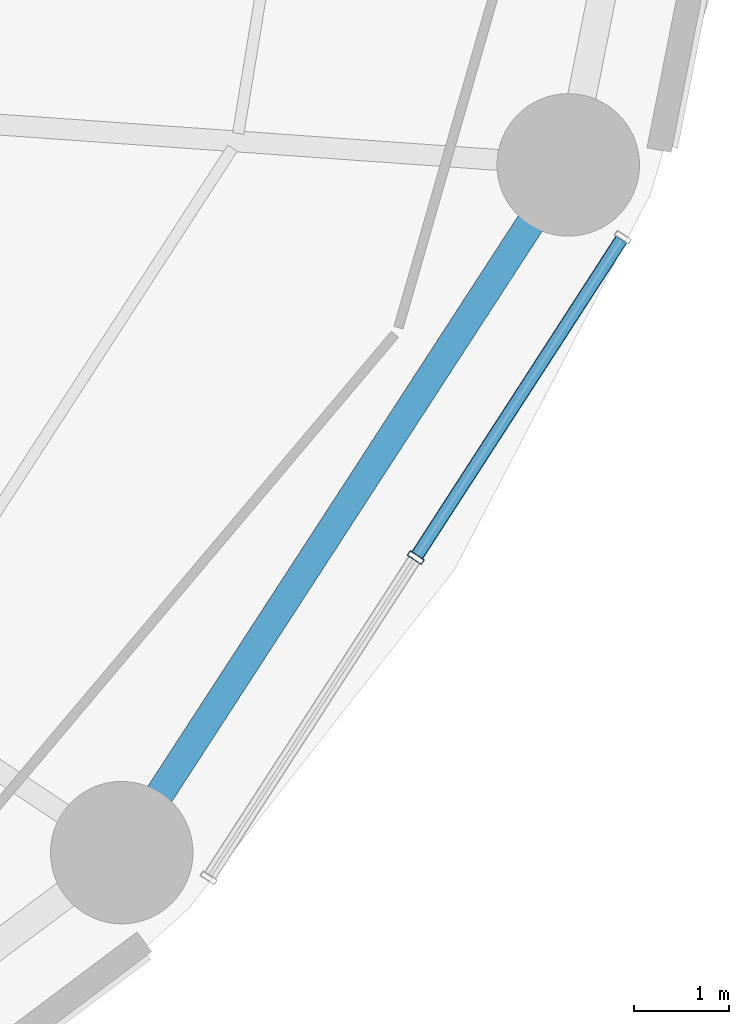
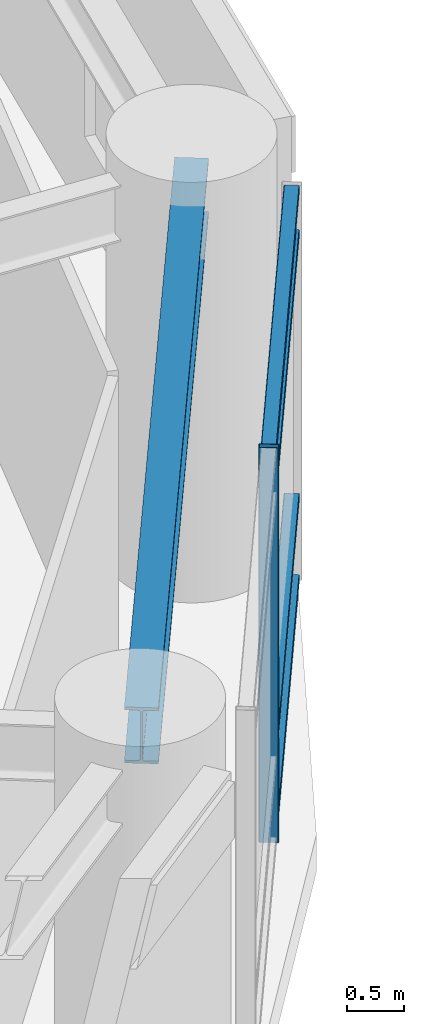
# One storey, part 21 of 46: 5 members, 1 beam, 1 element without a shape of its own.
"""IFC4 building model written with IfcOpenShell, lengths in metres."""

from ifc_helpers import new_model, si_unit, direction, frame, origin, origin_2d, place, context, subcontext, project, spatial, hollow_rectangle, i_section, extrude, material, layer, layer_set, material_profile, profile_set, type_object, element, aggregate, save


model = new_model("IFC4")

# Units and contexts
model_context = context("Model", 3, precision=1e-05, world=origin(), true_north=direction((0.0, 1.0)))
body_context = subcontext(model_context, "Body", "Model", "MODEL_VIEW")
ifc_project = project(units=[si_unit("LENGTHUNIT", "METRE"), si_unit("AREAUNIT", "SQUARE_METRE"), si_unit("VOLUMEUNIT", "CUBIC_METRE"), si_unit("PLANEANGLEUNIT", "RADIAN"), si_unit("MASSUNIT", "GRAM", prefix="KILO")], contexts=[model_context])

# Site, building, storey
site_placement = place(None, origin())
site = spatial("IfcSite", under=ifc_project, at=site_placement, CompositionType="ELEMENT")
building_placement = place(site_placement, origin())
building = spatial("IfcBuilding", under=site, at=building_placement, Name="Kelanora Arch Commons", CompositionType="ELEMENT")
storey_placement = place(building_placement, frame((0.0, 0.0, 18.0)))
storey = spatial("IfcBuildingStorey", under=building, at=storey_placement, Name="L04", CompositionType="ELEMENT", Elevation=18.0)

# Beam
ifc_material_1 = material(Name="Steel S355", Category="steel")
ifc_material_profile_1 = material_profile(ifc_material_1, i_section(OverallWidth=0.300048828125, OverallDepth=0.60009765625, WebThickness=0.015380859375, FlangeThickness=0.030029296875, FilletRadius=0.027099609375, at=origin_2d()), Name="HEB600")
ifc_profile_set_1 = profile_set([ifc_material_profile_1], Name="Steel S355")
beam_type = type_object("IfcBeamType", Name="BM-SPN-Z1", PredefinedType="SPANDREL", material=ifc_profile_set_1)
beam_placement = place(storey_placement, frame((94.8642578125, 42.706298828125, 3.93994140625), z_axis=(0.544583445345, 0.83870666568, 0.0), x_axis=(-0.83870666568, 0.544583445345, 0.0)))
element("IfcBeam", 1, at=beam_placement, inside=storey, type_object=beam_type, Name="Perimeter Spandrel Beam BS-32 L04", PredefinedType="SPANDREL", context=body_context, shape_type="SweptSolid", body=[
    extrude(i_section(OverallWidth=0.300048828125, OverallDepth=0.60009765625, WebThickness=0.015380859375, FlangeThickness=0.030029296875, FilletRadius=0.027099609375, at=origin_2d()), origin(), (0.0, 0.0, 1.0), 8.415283203125),
])

# Curtain wall, members
ifc_material_2 = material(Name="Terracotta ceramic-fritted low-E glass and aluminium", Category="masonry")
ifc_layer = layer(ifc_material_2, 0.2099609375)
ifc_layer_set = layer_set([ifc_layer], Name="Terracotta ceramic-fritted low-E glass and aluminium")
curtain_wall_type = type_object("IfcCurtainWallType", Name="CW-SYS-04", PredefinedType="NOTDEFINED", material=ifc_layer_set)
curtain_wall_placement = place(storey_placement, origin())
curtain_wall = element("IfcCurtainWall", 2, at=curtain_wall_placement, inside=storey, type_object=curtain_wall_type, Name="Unitised Curtain Wall L04-B16", PredefinedType="NOTDEFINED")
ifc_material_3 = material(Name="Powder-coated aluminium terracotta", Category="masonry")
ifc_material_profile_2 = material_profile(ifc_material_3, hollow_rectangle(XDim=0.179931640625, YDim=0.06005859375, WallThickness=0.0048828125, InnerFilletRadius=0.0048828125, OuterFilletRadius=0.010009765625, at=origin_2d()), Name="CWM180x60")
ifc_profile_set_2 = profile_set([ifc_material_profile_2], Name="Powder-coated aluminium terracotta")
member_type_1 = type_object("IfcMemberType", Name="CWM-HVY", PredefinedType="MULLION", material=ifc_profile_set_2)
member_1_placement = place(storey_placement, frame((97.841064453125, 45.629150390625, 0.0), z_axis=(0.0, 0.0, 1.0), x_axis=(-0.839728582399, 0.54300636083, 0.0)))
member_1 = element("IfcMember", 3, at=member_1_placement, type_object=member_type_1, Name="CW-04 mullion 2", PredefinedType="MULLION", context=body_context, shape_type="SweptSolid", body=[
    extrude(hollow_rectangle(XDim=0.179931640625, YDim=0.06005859375, WallThickness=0.0048828125, InnerFilletRadius=0.0048828125, OuterFilletRadius=0.010009765625, at=origin_2d()), origin(), (0.0, 0.0, 1.0), 4.22509765625),
])
ifc_material_profile_3 = material_profile(ifc_material_3, hollow_rectangle(XDim=0.139892578125, YDim=0.06005859375, WallThickness=0.0048828125, InnerFilletRadius=0.0048828125, OuterFilletRadius=0.010009765625, at=origin_2d()), Name="CWT140x60")
ifc_profile_set_3 = profile_set([ifc_material_profile_3], Name="Powder-coated aluminium terracotta")
member_type_2 = type_object("IfcMemberType", Name="CWT-HVY", PredefinedType="USERDEFINED", material=ifc_profile_set_3)
member_2_placement = place(storey_placement, frame((97.857177734375, 45.654296875, 0.030029296875), z_axis=(0.54299796475, 0.839734011623, 0.0), x_axis=(-0.839734011623, 0.54299796475, 0.0)))
member_2 = element("IfcMember", 4, at=member_2_placement, type_object=member_type_2, Name="CW-04 transom 2.1", ObjectType="TRANSOM", PredefinedType="USERDEFINED", context=body_context, shape_type="SweptSolid", body=[
    extrude(hollow_rectangle(XDim=0.139892578125, YDim=0.06005859375, WallThickness=0.0048828125, InnerFilletRadius=0.0048828125, OuterFilletRadius=0.010009765625, at=origin_2d()), origin(), (0.0, 0.0, 1.0), 3.95654296875),
])
member_3_placement = place(storey_placement, frame((97.857177734375, 45.654296875, 0.89990234375), z_axis=(0.54299796475, 0.839734011623, 0.0), x_axis=(-0.839734011623, 0.54299796475, 0.0)))
member_3 = element("IfcMember", 5, at=member_3_placement, type_object=member_type_2, Name="CW-04 transom 2.2", ObjectType="TRANSOM", PredefinedType="USERDEFINED", context=body_context, shape_type="SweptSolid", body=[
    extrude(hollow_rectangle(XDim=0.139892578125, YDim=0.06005859375, WallThickness=0.0048828125, InnerFilletRadius=0.0048828125, OuterFilletRadius=0.010009765625, at=origin_2d()), origin(), (0.0, 0.0, 1.0), 3.95654296875),
])
member_4_placement = place(storey_placement, frame((97.857177734375, 45.654296875, 3.72509765625), z_axis=(0.54299796475, 0.839734011623, 0.0), x_axis=(-0.839734011623, 0.54299796475, 0.0)))
member_4 = element("IfcMember", 6, at=member_4_placement, type_object=member_type_2, Name="CW-04 transom 2.3", ObjectType="TRANSOM", PredefinedType="USERDEFINED", context=body_context, shape_type="SweptSolid", body=[
    extrude(hollow_rectangle(XDim=0.139892578125, YDim=0.06005859375, WallThickness=0.0048828125, InnerFilletRadius=0.0048828125, OuterFilletRadius=0.010009765625, at=origin_2d()), origin(), (0.0, 0.0, 1.0), 3.95654296875),
])
member_5_placement = place(storey_placement, frame((97.857177734375, 45.654296875, 4.195068359375), z_axis=(0.54299796475, 0.839734011623, 0.0), x_axis=(-0.839734011623, 0.54299796475, 0.0)))
member_5 = element("IfcMember", 7, at=member_5_placement, type_object=member_type_2, Name="CW-04 transom 2.4", ObjectType="TRANSOM", PredefinedType="USERDEFINED", context=body_context, shape_type="SweptSolid", body=[
    extrude(hollow_rectangle(XDim=0.139892578125, YDim=0.06005859375, WallThickness=0.0048828125, InnerFilletRadius=0.0048828125, OuterFilletRadius=0.010009765625, at=origin_2d()), origin(), (0.0, 0.0, 1.0), 3.95654296875),
])
aggregate(curtain_wall, [member_1, member_2, member_3, member_4, member_5])

save(model, "model.ifc")
